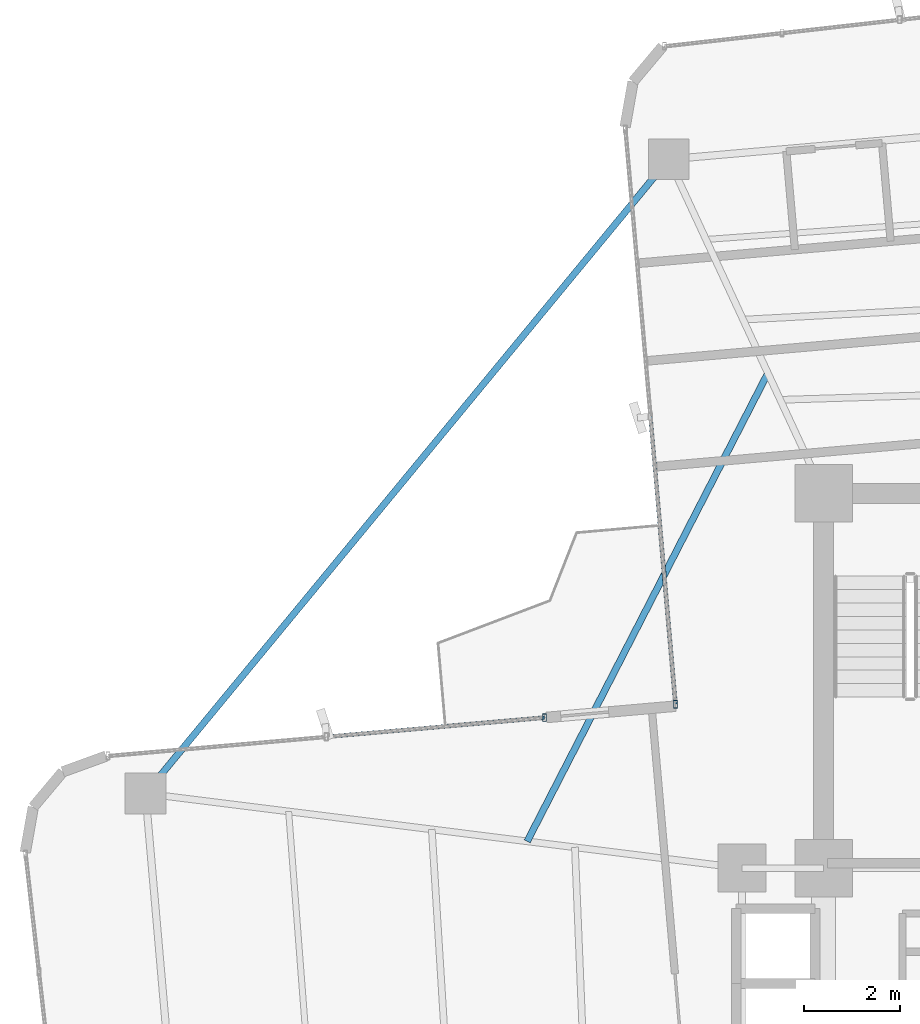
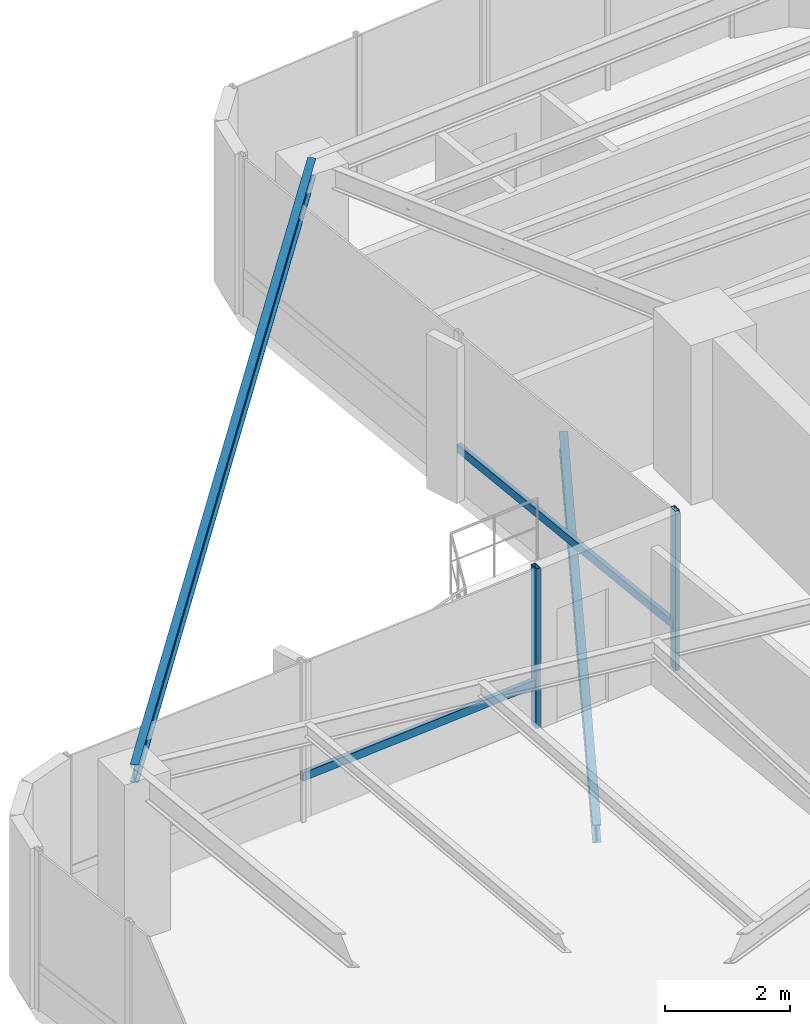
# One storey, part 10 of 24: 4 members, 2 beams, 2 elements without a shape of their own.
"""IFC4 building model written with IfcOpenShell, lengths in metres."""

from ifc_helpers import new_model, si_unit, direction, frame, origin, origin_2d, place, context, subcontext, project, spatial, hollow_rectangle, i_section, extrude, source, transform, mapped, material, material_profile, profile_set, type_object, element, aggregate, save


model = new_model("IFC4")

# Units and contexts
model_context = context("Model", 3, precision=1e-05, world=origin(), true_north=direction((0.0, 1.0)))
body_context = subcontext(model_context, "Body", "Model", "MODEL_VIEW")
ifc_project = project(units=[si_unit("LENGTHUNIT", "METRE"), si_unit("AREAUNIT", "SQUARE_METRE"), si_unit("VOLUMEUNIT", "CUBIC_METRE"), si_unit("PLANEANGLEUNIT", "RADIAN"), si_unit("MASSUNIT", "GRAM", prefix="KILO")], contexts=[model_context])

# Site, building, storey
site_placement = place(None, origin())
site = spatial("IfcSite", under=ifc_project, at=site_placement, CompositionType="ELEMENT")
building_placement = place(site_placement, origin())
building = spatial("IfcBuilding", under=site, at=building_placement, Name="Sahyath Konkavel Grand Hotel", CompositionType="ELEMENT")
storey_placement = place(building_placement, frame((0.0, 0.0, 188.60009765625)))
storey = spatial("IfcBuildingStorey", under=building, at=storey_placement, Name="L52", CompositionType="ELEMENT", Elevation=188.60009765625)

# Beam
ifc_material_1 = material(Name="Steel E350", Category="steel")
ifc_material_profile_1 = material_profile(ifc_material_1, i_section(OverallWidth=0.139892578125, OverallDepth=0.35009765625, WebThickness=0.008056640625, FlangeThickness=0.01416015625, FilletRadius=0.013916015625, at=origin_2d()), Name="ISMB 350")
ifc_profile_set_1 = profile_set([ifc_material_profile_1], Name="Steel E350")
beam_type_1 = type_object("IfcBeamType", Name="BM-ISMB350", PredefinedType="BEAM", material=ifc_profile_set_1)
shared_shape_1 = source(origin(), body_context, "Body", "SweptSolid", [
    extrude(i_section(OverallWidth=0.139892578125, OverallDepth=0.35009765625, WebThickness=0.008056640625, FlangeThickness=0.01416015625, FilletRadius=0.013916015625, at=origin_2d()), origin(), (0.0, 0.0, 1.0), 17.112548828125),
])
beam_1_placement = place(storey_placement, frame((-7.021728515625, 17.1533203125, 2.934814453125), z_axis=(-0.636437070092, -0.77132863023, 0.0), x_axis=(0.77132863023, -0.636437070092, 0.0)))
element("IfcBeam", 1, at=beam_1_placement, inside=storey, type_object=beam_type_1, Name="L52 Re-Entrant Tie Beam NW", PredefinedType="BEAM", context=body_context, shape_type="MappedRepresentation", body=[
    mapped(shared_shape_1, transform((0.0, 0.0, 0.0), scale=1.0)),
])

# Curtain wall, member
ifc_material_2 = material(Name="Anodised Bronze Aluminium & Low-E Glazing", Category="aluminium")
curtain_wall_type = type_object("IfcCurtainWallType", Name="CW-ZONE3", PredefinedType="NOTDEFINED", material=ifc_material_2)
curtain_wall_1_placement = place(storey_placement, origin())
curtain_wall_1 = element("IfcCurtainWall", 2, at=curtain_wall_1_placement, inside=storey, type_object=curtain_wall_type, Name="L52 Unitised Curtain Wall F15", PredefinedType="NOTDEFINED")
ifc_material_3 = material(Name="Anodised Bronze Aluminium", Category="aluminium")
ifc_material_profile_2 = material_profile(ifc_material_3, hollow_rectangle(XDim=0.080078125, YDim=0.159912109375, WallThickness=0.006103515625, at=origin_2d()), Name="RHS 160x80x6")
ifc_profile_set_2 = profile_set([ifc_material_profile_2], Name="Anodised Bronze Aluminium")
member_type_1 = type_object("IfcMemberType", Name="CW-MUL-160", PredefinedType="MULLION", material=ifc_profile_set_2)
shared_shape_2 = source(origin(), body_context, "Body", "SweptSolid", [
    extrude(hollow_rectangle(XDim=0.080078125, YDim=0.159912109375, WallThickness=0.006103515625, at=origin_2d()), origin(), (0.0, 0.0, 1.0), 3.10986328125),
])
member_1_placement = place(storey_placement, frame((-6.8828125, 5.812255859375, 0.0), z_axis=(0.0, 0.0, 1.0), x_axis=(1.0, 0.0, 0.0)))
member_1 = element("IfcMember", 3, at=member_1_placement, type_object=member_type_1, Name="L52 Curtain Wall Mullion F15-2", PredefinedType="MULLION", context=body_context, shape_type="MappedRepresentation", body=[
    mapped(shared_shape_2, transform((0.0, 0.0, 0.0), scale=1.0)),
])

# Curtain wall, members
curtain_wall_2_placement = place(storey_placement, origin())
curtain_wall_2 = element("IfcCurtainWall", 4, at=curtain_wall_2_placement, inside=storey, type_object=curtain_wall_type, Name="L52 Unitised Curtain Wall F16", PredefinedType="NOTDEFINED")
member_2_placement = place(storey_placement, frame((-9.60888671875, 5.53369140625, 0.0), z_axis=(0.0, 0.0, 1.0), x_axis=(1.0, 0.0, 0.0)))
member_2 = element("IfcMember", 5, at=member_2_placement, type_object=member_type_1, Name="L52 Curtain Wall Mullion F16-0", PredefinedType="MULLION", context=body_context, shape_type="MappedRepresentation", body=[
    mapped(shared_shape_2, transform((0.0, 0.0, 0.0), scale=1.0)),
])
ifc_material_profile_3 = material_profile(ifc_material_3, hollow_rectangle(XDim=0.080078125, YDim=0.159912109375, WallThickness=0.006103515625, at=origin_2d()), Name="RHS 160x80x6")
ifc_profile_set_3 = profile_set([ifc_material_profile_3], Name="Anodised Bronze Aluminium")
member_type_2 = type_object("IfcMemberType", Name="CW-TRN-160", PredefinedType="USERDEFINED", material=ifc_profile_set_3)
shared_shape_3 = source(origin(), body_context, "Body", "SweptSolid", [
    extrude(hollow_rectangle(XDim=0.080078125, YDim=0.159912109375, WallThickness=0.006103515625, at=origin_2d()), origin(), (0.0, 0.0, 1.0), 4.56005859375),
])
member_3_placement = place(storey_placement, frame((-9.60888671875, 5.53369140625, 0.849853515625), z_axis=(-0.996189590376, -0.087214104516, 0.0), x_axis=(0.087214104516, -0.996189590376, 0.0)))
member_3 = element("IfcMember", 6, at=member_3_placement, type_object=member_type_2, Name="L52 Curtain Wall Transom F16-0-spandrel", ObjectType="TRANSOM", PredefinedType="USERDEFINED", context=body_context, shape_type="MappedRepresentation", body=[
    mapped(shared_shape_3, transform((0.0, 0.0, 0.0), scale=1.0)),
])
aggregate(curtain_wall_2, [member_2, member_3])

# Member
shared_shape_4 = source(origin(), body_context, "Body", "SweptSolid", [
    extrude(hollow_rectangle(XDim=0.080078125, YDim=0.159912109375, WallThickness=0.006103515625, at=origin_2d()), origin(), (0.0, 0.0, 1.0), 6.010009765625),
])
member_4_placement = place(storey_placement, frame((-7.406494140625, 11.79931640625, 0.849853515625), z_axis=(0.087136210597, -0.996196406741, 0.0), x_axis=(0.996196406741, 0.087136210597, 0.0)))
member_4 = element("IfcMember", 7, at=member_4_placement, type_object=member_type_2, Name="L52 Curtain Wall Transom F15-1-spandrel", ObjectType="TRANSOM", PredefinedType="USERDEFINED", context=body_context, shape_type="MappedRepresentation", body=[
    mapped(shared_shape_4, transform((0.0, 0.0, 0.0), scale=1.0)),
])

aggregate(curtain_wall_1, [member_1, member_4])

# Beam
ifc_material_profile_4 = material_profile(ifc_material_1, i_section(OverallWidth=0.139892578125, OverallDepth=0.35009765625, WebThickness=0.008056640625, FlangeThickness=0.01416015625, FilletRadius=0.013916015625, at=origin_2d()), Name="ISMB 350")
ifc_profile_set_4 = profile_set([ifc_material_profile_4], Name="Steel E350")
beam_type_2 = type_object("IfcBeamType", Name="BM-BALC-CANT", PredefinedType="BEAM", material=ifc_profile_set_4)
shared_shape_5 = source(origin(), body_context, "Body", "SweptSolid", [
    extrude(i_section(OverallWidth=0.139892578125, OverallDepth=0.35009765625, WebThickness=0.008056640625, FlangeThickness=0.01416015625, FilletRadius=0.013916015625, at=origin_2d()), origin(), (0.0, 0.0, 1.0), 10.95556640625),
])
beam_2_placement = place(storey_placement, frame((-4.959716796875, 12.703125, -0.4150390625), z_axis=(-0.457186878355, -0.889370652912, 0.0), x_axis=(0.889370652912, -0.457186878355, 0.0)))
element("IfcBeam", 8, at=beam_2_placement, inside=storey, type_object=beam_type_2, Name="L52 Balcony Cantilever Support Beam NW", PredefinedType="BEAM", context=body_context, shape_type="MappedRepresentation", body=[
    mapped(shared_shape_5, transform((0.0, 0.0, 0.0), scale=1.0)),
])

save(model, "model.ifc")
